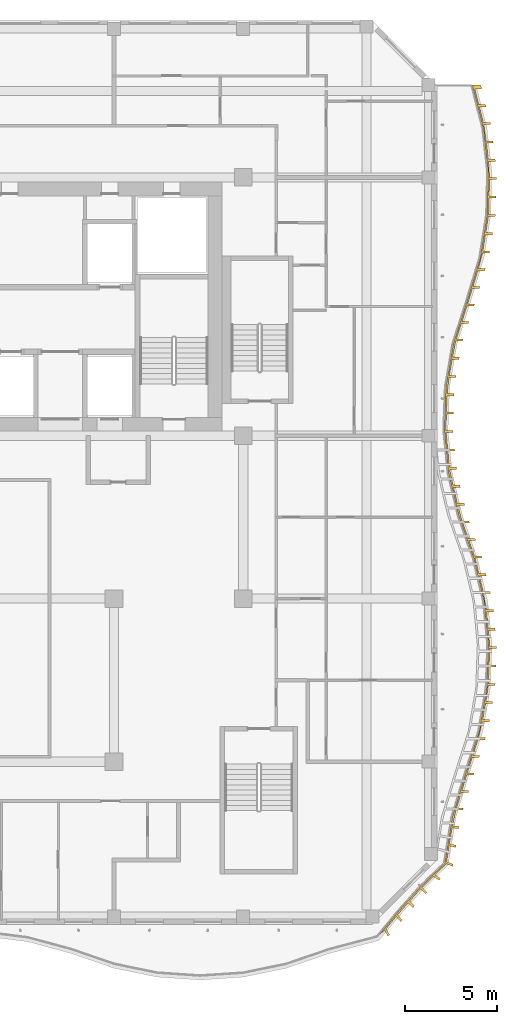
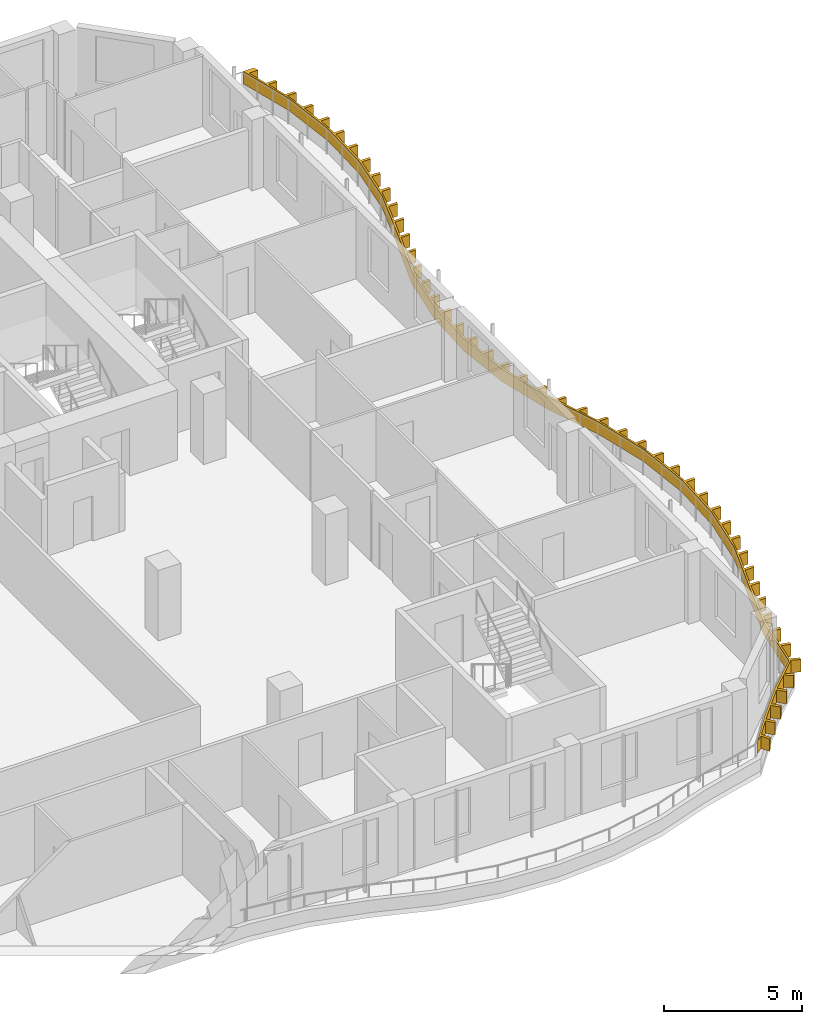
# One storey, part 18 of 19: 1 shading device.
"""IFC4 building model written with IfcOpenShell, lengths in metres."""

from ifc_helpers import new_model, si_unit, direction, frame, origin, place, context, subcontext, project, spatial, polyline, outline, extrude, source, transform, mapped, material, layer, layer_set, type_object, element, save


model = new_model("IFC4")

# Units and contexts
model_context = context("Model", 3, precision=1e-05, world=origin(), true_north=direction((0.0, 1.0)))
body_context = subcontext(model_context, "Body", "Model", "MODEL_VIEW")
ifc_project = project(units=[si_unit("LENGTHUNIT", "METRE"), si_unit("AREAUNIT", "SQUARE_METRE"), si_unit("VOLUMEUNIT", "CUBIC_METRE"), si_unit("PLANEANGLEUNIT", "RADIAN"), si_unit("MASSUNIT", "GRAM", prefix="KILO")], contexts=[model_context])

# Site, building, storey
site_placement = place(None, origin())
site = spatial("IfcSite", under=ifc_project, at=site_placement, CompositionType="ELEMENT")
building_placement = place(site_placement, origin())
building = spatial("IfcBuilding", under=site, at=building_placement, Name="Kilnfold Tower and Market Hall", CompositionType="ELEMENT")
storey_placement = place(building_placement, frame((0.0, 0.0, 245.800048828125)))
storey = spatial("IfcBuildingStorey", under=building, at=storey_placement, Name="L59", CompositionType="ELEMENT", Elevation=245.800048828125)

# Shading device
ifc_material = material(Name="Bronze anodised aluminium", Category="aluminium")
ifc_layer = layer(ifc_material, 0.550048828125)
ifc_layer_set = layer_set([ifc_layer], Name="Bronze anodised aluminium")
shading_device_type = type_object("IfcShadingDeviceType", Name="BRONZE SLAT FASCIA 550", PredefinedType="USERDEFINED", material=ifc_layer_set)
shared_shape = source(origin(), body_context, "Body", "SweptSolid", [
    extrude(outline(polyline([(26.849609375, -19.130615234375), (26.672607421875, -18.810302734375), (26.40673828125, -19.021484375), (27.510498046875, -17.67724609375), (28.6162109375, -16.44970703125), (29.934814453125, -15.18017578125), (30.34228515625, -12.666748046875), (31.0537109375, -10.333251953125), (31.80078125, -8.0), (32.2060546875, -5.666748046875), (32.2919921875, -3.333251953125), (32.063720703125, -1.0), (31.5078125, 1.333251953125), (30.68798828125, 3.666748046875), (30.13427734375, 6.0), (29.90771484375, 8.333251953125), (29.995361328125, 10.666748046875), (30.40234375, 13.0), (31.1513671875, 15.333251953125), (31.860595703125, 17.666748046875), (32.23046875, 20.0), (32.28271484375, 22.333251953125), (32.019775390625, 24.666748046875), (31.427001953125, 27.0), (31.876953125, 27.0), (31.928955078125, 26.794921875), (31.55908203125, 26.794921875), (31.775634765625, 25.94189453125), (32.145751953125, 25.94189453125), (32.17529296875, 25.82568359375), (31.805419921875, 25.82568359375), (32.02197265625, 24.972900390625), (32.391845703125, 24.972900390625), (32.42138671875, 24.8564453125), (32.051513671875, 24.8564453125), (32.17626953125, 23.98681640625), (32.54638671875, 23.98681640625), (32.559814453125, 23.867431640625), (32.189697265625, 23.867431640625), (32.288330078125, 22.9931640625), (32.658203125, 22.9931640625), (32.671630859375, 22.873779296875), (32.3017578125, 22.873779296875), (32.35498046875, 21.997314453125), (32.72509765625, 21.997314453125), (32.722412109375, 21.87744140625), (32.352294921875, 21.87744140625), (32.332763671875, 20.99755859375), (32.702880859375, 20.99755859375), (32.7001953125, 20.877685546875), (32.330078125, 20.877685546875), (32.310302734375, 19.997802734375), (32.68017578125, 19.997802734375), (32.661376953125, 19.87939453125), (32.29150390625, 19.87939453125), (32.153564453125, 19.01025390625), (32.523681640625, 19.01025390625), (32.5048828125, 18.8916015625), (32.134765625, 18.8916015625), (31.9970703125, 18.0224609375), (32.3671875, 18.0224609375), (32.348388671875, 17.904052734375), (31.978271484375, 17.904052734375), (31.754638671875, 17.0546875), (32.12451171875, 17.0546875), (32.089599609375, 16.939697265625), (31.7197265625, 16.939697265625), (31.4638671875, 16.097900390625), (31.833740234375, 16.097900390625), (31.798828125, 15.98291015625), (31.428955078125, 15.98291015625), (31.169921875, 15.14208984375), (31.5400390625, 15.14208984375), (31.50341796875, 15.027587890625), (31.13330078125, 15.027587890625), (30.8642578125, 14.18994140625), (31.234375, 14.18994140625), (31.197509765625, 14.07568359375), (30.82763671875, 14.07568359375), (30.55859375, 13.23779296875), (30.9287109375, 13.23779296875), (30.891845703125, 13.12353515625), (30.52197265625, 13.12353515625), (30.353515625, 12.2607421875), (30.723388671875, 12.2607421875), (30.70263671875, 12.142578125), (30.332763671875, 12.142578125), (30.181396484375, 11.275634765625), (30.551513671875, 11.275634765625), (30.531005859375, 11.157470703125), (30.160888671875, 11.157470703125), (30.06103515625, 10.28515625), (30.430908203125, 10.28515625), (30.426513671875, 10.165283203125), (30.056396484375, 10.165283203125), (30.0234375, 9.285888671875), (30.393310546875, 9.285888671875), (30.388916015625, 9.166015625), (30.018798828125, 9.166015625), (29.9921875, 8.286865234375), (30.362060546875, 8.286865234375), (30.373779296875, 8.167236328125), (30.003662109375, 8.167236328125), (30.0888671875, 7.29150390625), (30.458740234375, 7.29150390625), (30.470458984375, 7.172119140625), (30.100341796875, 7.172119140625), (30.185302734375, 6.296142578125), (30.555419921875, 6.296142578125), (30.56689453125, 6.1767578125), (30.197021484375, 6.1767578125), (30.37646484375, 5.31640625), (30.746337890625, 5.31640625), (30.774169921875, 5.19970703125), (30.404296875, 5.19970703125), (30.607421875, 4.343505859375), (30.977294921875, 4.343505859375), (31.005126953125, 4.226806640625), (30.635009765625, 4.226806640625), (30.868896484375, 3.379638671875), (31.239013671875, 3.379638671875), (31.27880859375, 3.266357421875), (30.90869140625, 3.266357421875), (31.200439453125, 2.43603515625), (31.5703125, 2.43603515625), (31.610107421875, 2.322998046875), (31.240234375, 2.322998046875), (31.53173828125, 1.49267578125), (31.90185546875, 1.49267578125), (31.941650390625, 1.37939453125), (31.571533203125, 1.37939453125), (31.780517578125, 0.52490234375), (32.150390625, 0.52490234375), (32.17822265625, 0.408203125), (31.80810546875, 0.408203125), (32.01220703125, -0.447998046875), (32.382080078125, -0.447998046875), (32.409912109375, -0.564697265625), (32.039794921875, -0.564697265625), (32.185791015625, -1.430419921875), (32.5556640625, -1.430419921875), (32.5673828125, -1.5498046875), (32.197509765625, -1.5498046875), (32.283203125, -2.42578125), (32.6533203125, -2.42578125), (32.664794921875, -2.545166015625), (32.294921875, -2.545166015625), (32.368896484375, -3.42138671875), (32.73876953125, -3.42138671875), (32.734375, -3.541259765625), (32.3642578125, -3.541259765625), (32.33203125, -4.420654296875), (32.701904296875, -4.420654296875), (32.697509765625, -4.54052734375), (32.32763671875, -4.54052734375), (32.295166015625, -5.419921875), (32.665283203125, -5.419921875), (32.660888671875, -5.539794921875), (32.290771484375, -5.539794921875), (32.1572265625, -6.40869140625), (32.527099609375, -6.40869140625), (32.506591796875, -6.52685546875), (32.13671875, -6.52685546875), (31.986083984375, -7.39404296875), (32.356201171875, -7.39404296875), (32.335693359375, -7.51220703125), (31.965576171875, -7.51220703125), (31.763427734375, -8.36669921875), (32.133544921875, -8.36669921875), (32.096923828125, -8.480712890625), (31.726806640625, -8.480712890625), (31.45849609375, -9.31884765625), (31.82861328125, -9.31884765625), (31.7919921875, -9.43310546875), (31.421875, -9.43310546875), (31.153564453125, -10.271240234375), (31.5234375, -10.271240234375), (31.487548828125, -10.3857421875), (31.11767578125, -10.3857421875), (30.861083984375, -11.2275390625), (31.23095703125, -11.2275390625), (31.196044921875, -11.34228515625), (30.825927734375, -11.34228515625), (30.5693359375, -12.18408203125), (30.939453125, -12.18408203125), (30.904296875, -12.298828125), (30.534423828125, -12.298828125), (30.3427734375, -13.14697265625), (30.708984375, -13.173583984375), (30.688720703125, -13.29638671875), (30.32373046875, -13.26318359375), (30.184326171875, -14.115966796875), (30.54052734375, -14.197021484375), (30.5205078125, -14.31982421875), (30.16552734375, -14.232421875), (30.028564453125, -15.085693359375), (30.372314453125, -15.220458984375), (30.35205078125, -15.343505859375), (30.010009765625, -15.2021484375), (29.396484375, -15.801513671875), (29.70361328125, -15.9990234375), (29.614501953125, -16.088134765625), (29.312255859375, -15.8828125), (28.697509765625, -16.48193359375), (28.960693359375, -16.74169921875), (28.8779296875, -16.830810546875), (28.6162109375, -16.569091796875), (28.02734375, -17.222900390625), (28.2890625, -17.484619140625), (28.20849609375, -17.57373046875), (27.947021484375, -17.31201171875), (27.371337890625, -17.968017578125), (27.615234375, -18.242919921875), (27.533203125, -18.338134765625), (27.29638671875, -18.05810546875), (26.747314453125, -18.719970703125), (26.931640625, -19.03564453125), (26.849609375, -19.130615234375)])), origin(), (0.0, 0.0, 1.0), 0.5498046875),
])
shading_device_placement = place(storey_placement, frame((0.0, 0.0, 0.550048828125)))
element("IfcShadingDevice", 1, at=shading_device_placement, inside=storey, type_object=shading_device_type, Name="Balcony slat fascia L59", ObjectType="SLAT", PredefinedType="USERDEFINED", context=body_context, shape_type="MappedRepresentation", body=[
    mapped(shared_shape, transform((0.0, 0.0, 0.0))),
])

save(model, "model.ifc")
